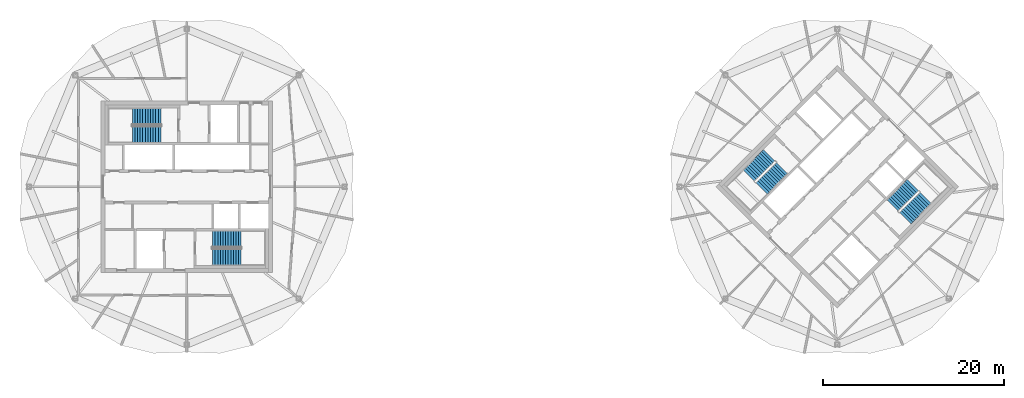
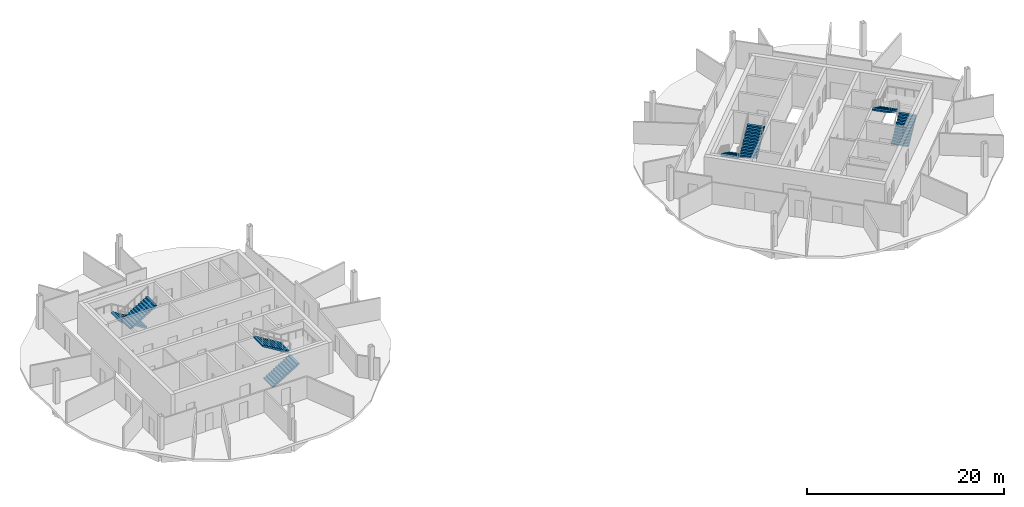
# One storey, part 10 of 11: 8 stair flights, 4 elements without a shape of their own.
"""IFC4 building model written with IfcOpenShell, lengths in metres."""

import ifcopenshell
import ifcopenshell.guid

model = None  # the IFC model being written
_history = None  # IfcOwnerHistory: only IFC2X3 demands one
_inside = {}  # id of a spatial element -> (the spatial element, [elements in it])
_under = {}  # id of a project, library or spatial element -> (it, [spatial elements below it])
_declared = {}  # id of a project -> (the project, [libraries it declares])
_typed = {}  # id of a type object -> (the type object, [elements of that type])
_made_of = {}  # id of a material, layer set ... -> (it, [elements and type objects made of it])


def new_model(schema):
    """Start an empty IFC model of exactly this schema.

    Asked for "IFC4X3", IfcOpenShell would pick the latest addendum, in which some entities
    have other attributes; the version numbers below select the first issue.
    IFC2X3 requires an IfcOwnerHistory on every rooted entity: one is made here for all.
    """
    global model, _history
    if schema == "IFC4X3":
        model = ifcopenshell.file(schema_version=(4, 3, 0, 0))
    else:
        model = ifcopenshell.file(schema=schema)
    _inside.clear()
    _under.clear()
    _declared.clear()
    _typed.clear()
    _made_of.clear()
    _history = None
    if model.schema == "IFC2X3":
        org = make("IfcOrganization", Name="unknown")
        user = make(
            "IfcPersonAndOrganization",
            ThePerson=make("IfcPerson", FamilyName="unknown"),
            TheOrganization=org,
        )
        app = make(
            "IfcApplication",
            ApplicationDeveloper=org,
            Version="unknown",
            ApplicationFullName="unknown",
            ApplicationIdentifier="unknown",
        )
        _history = make(
            "IfcOwnerHistory",
            OwningUser=user,
            OwningApplication=app,
            ChangeAction="ADDED",
            CreationDate=0,
        )
    return model


def make(cls, **values):
    """One entity of the class cls with the attributes given. An attribute that is None is left unset."""
    return model.create_entity(
        cls, **{name: value for name, value in values.items() if value is not None}
    )


def rooted(cls, **values):
    """An entity with a GlobalId (a new one), such as an element, a storey or a relation."""
    return make(cls, GlobalId=ifcopenshell.guid.new(), OwnerHistory=_history, **values)


def si_unit(unit_type, name, prefix=None):
    """IfcSIUnit, for example si_unit("LENGTHUNIT", "METRE", prefix="MILLI")."""
    return make("IfcSIUnit", UnitType=unit_type, Prefix=prefix, Name=name)


def assignment(units):
    """IfcUnitAssignment: the units of a project."""
    return None if units is None else make("IfcUnitAssignment", Units=units)


def point(xyz):
    """IfcCartesianPoint."""
    return None if xyz is None else make("IfcCartesianPoint", Coordinates=xyz)


def direction(xyz):
    """IfcDirection."""
    return None if xyz is None else make("IfcDirection", DirectionRatios=xyz)


def frame(location, z_axis=None, x_axis=None):
    """IfcAxis2Placement3D, a coordinate frame: its origin and axes. An axis left out is left unset."""
    return make(
        "IfcAxis2Placement3D",
        Location=point(location),
        Axis=direction(z_axis),
        RefDirection=direction(x_axis),
    )


def origin():
    """The frame at (0, 0, 0) with its axes left unset."""
    return frame((0.0, 0.0, 0.0))


def place(relative_to, where):
    """IfcLocalPlacement: puts the frame where relative to a parent placement (None: the world)."""
    return make(
        "IfcLocalPlacement", PlacementRelTo=relative_to, RelativePlacement=where
    )


def context(
    kind, dimensions, precision=None, world=None, true_north=None, identifier=None
):
    """IfcGeometricRepresentationContext, for example the 3D "Model" context."""
    return make(
        "IfcGeometricRepresentationContext",
        ContextIdentifier=identifier,
        ContextType=kind,
        CoordinateSpaceDimension=dimensions,
        Precision=precision,
        WorldCoordinateSystem=world,
        TrueNorth=true_north,
    )


def subcontext(parent, identifier, kind, view, scale=None):
    """IfcGeometricRepresentationSubContext, for example "Body" below "Model"."""
    return make(
        "IfcGeometricRepresentationSubContext",
        ContextIdentifier=identifier,
        ContextType=kind,
        ParentContext=parent,
        TargetScale=scale,
        TargetView=view,
    )


def project(units=None, contexts=None):
    """IfcProject with its units and contexts."""
    return rooted(
        "IfcProject",
        Name="project",
        RepresentationContexts=contexts,
        UnitsInContext=assignment(units),
    )


def spatial(cls, under=None, at=None, **own):
    """A site, building, storey or space (cls), placed at a placement, below another one or the project."""
    s = rooted(cls, ObjectPlacement=at, **own)
    if under is not None:
        _under.setdefault(under.id(), (under, []))[1].append(s)
    return s


def polyline(points):
    """IfcPolyline through the points."""
    return make("IfcPolyline", Points=[point(p) for p in points])


def outline(outer, holes=None, kind="AREA"):
    """IfcArbitraryClosedProfileDef: a profile drawn as a closed curve; with holes, ...WithVoids."""
    if holes is None:
        return make("IfcArbitraryClosedProfileDef", ProfileType=kind, OuterCurve=outer)
    return make(
        "IfcArbitraryProfileDefWithVoids",
        ProfileType=kind,
        OuterCurve=outer,
        InnerCurves=holes,
    )


def extrude(swept, where, along, depth):
    """IfcExtrudedAreaSolid: the profile swept, set in the frame where, extruded along a direction by depth."""
    return make(
        "IfcExtrudedAreaSolid",
        SweptArea=swept,
        Position=where,
        ExtrudedDirection=direction(along),
        Depth=depth,
    )


def shape(context_of_items, identifier, shape_type, items):
    """IfcShapeRepresentation: the items that make up one representation, for example the "Body"."""
    return make(
        "IfcShapeRepresentation",
        ContextOfItems=context_of_items,
        RepresentationIdentifier=identifier,
        RepresentationType=shape_type,
        Items=items,
    )


def material(Name=None, Category=None):
    """IfcMaterial."""
    return make("IfcMaterial", Name=Name, Category=Category)


def made_of(thing, what):
    """Note that an element or type object is made of a material, layer set ...; save() writes the relation."""
    if what is not None:
        _made_of.setdefault(what.id(), (what, []))[1].append(thing)
    return thing


def type_object(cls, material=None, **own):
    """A type object (cls), such as IfcWallType, which elements share."""
    return made_of(rooted(cls, **own), material)


def element(
    cls,
    number,
    at=None,
    inside=None,
    cuts=None,
    type_object=None,
    material=None,
    context=None,
    identifier="Body",
    shape_type=None,
    held_by="IfcProductDefinitionShape",
    body=None,
    shapes=None,
    **own,
):
    """One element of the class cls, such as IfcWall. Its Tag is "e" and its number.

    at: its placement. inside: the storey or other place that contains it. cuts: it is an
    opening in that element (IfcRelVoidsElement). A single representation is given by context,
    identifier, shape_type and body (its items); several are given by shapes. held_by: the class
    of the entity that holds the representations. save() writes the other relations.
    """
    e = rooted(cls, Tag="e%d" % number, ObjectPlacement=at, **own)
    if body is not None:
        shapes = [shape(context, identifier, shape_type, body)]
    if shapes is not None:
        e.Representation = make(held_by, Representations=shapes)
    if inside is not None:
        _inside.setdefault(inside.id(), (inside, []))[1].append(e)
    if cuts is not None:
        rooted(
            "IfcRelVoidsElement", RelatingBuildingElement=cuts, RelatedOpeningElement=e
        )
    if type_object is not None:
        _typed.setdefault(type_object.id(), (type_object, []))[1].append(e)
    return made_of(e, material)


def aggregate(whole, parts):
    """IfcRelAggregates: a whole, such as a stair, and the parts it consists of."""
    return rooted("IfcRelAggregates", RelatingObject=whole, RelatedObjects=parts)


def save(model, path):
    """Write the relations noted so far, then the file.

    IfcRelAggregates (storeys below a building ...), IfcRelContainedInSpatialStructure (elements
    in a storey), IfcRelDefinesByType, IfcRelAssociatesMaterial and IfcRelDeclares: one each for
    every whole, place, type object, material and project.
    """
    for whole, parts in _under.values():
        aggregate(whole, parts)
    for where, things in _inside.values():
        rooted(
            "IfcRelContainedInSpatialStructure",
            RelatedElements=things,
            RelatingStructure=where,
        )
    for kind, things in _typed.values():
        rooted("IfcRelDefinesByType", RelatedObjects=things, RelatingType=kind)
    for what, things in _made_of.values():
        rooted("IfcRelAssociatesMaterial", RelatedObjects=things, RelatingMaterial=what)
    for by, libraries in _declared.values():
        rooted("IfcRelDeclares", RelatingContext=by, RelatedDefinitions=libraries)
    model.write(path)


model = new_model("IFC4")

# Units and contexts
model_context = context("Model", 3, precision=1e-05, world=origin(), true_north=direction((0.0, 1.0)))
body_context = subcontext(model_context, "Body", "Model", "MODEL_VIEW")
ifc_project = project(units=[si_unit("LENGTHUNIT", "METRE"), si_unit("AREAUNIT", "SQUARE_METRE"), si_unit("VOLUMEUNIT", "CUBIC_METRE"), si_unit("PLANEANGLEUNIT", "RADIAN"), si_unit("MASSUNIT", "GRAM", prefix="KILO")], contexts=[model_context])

# Site, building, storey
site_placement = place(None, origin())
site = spatial("IfcSite", under=ifc_project, at=site_placement, CompositionType="ELEMENT")
building_placement = place(site_placement, origin())
building = spatial("IfcBuilding", under=site, at=building_placement, Name="Ogive Gate Towers", CompositionType="ELEMENT")
storey_placement = place(building_placement, frame((0.0, 0.0, 289.800048828125)))
storey = spatial("IfcBuildingStorey", under=building, at=storey_placement, Name="L68", CompositionType="ELEMENT", Elevation=289.800048828125)

# Stair, stair flights
ifc_material = material(Name="Concrete C40/50", Category="concrete")
stair_type = type_object("IfcStairType", Name="Escape stair 1840 wide", PredefinedType="HALF_TURN_STAIR", material=ifc_material)
stair_1_placement = place(storey_placement, origin())
stair_1 = element("IfcStair", 1, at=stair_1_placement, inside=storey, type_object=stair_type, Name="L68 Escape stair 1", PredefinedType="HALF_TURN_STAIR")
stair_flight_type = type_object("IfcStairFlightType", Name="Stair flight 1840 wide", PredefinedType="STRAIGHT", material=ifc_material)
stair_flight_1_placement = place(storey_placement, frame((-38.864990234375, 7.780029296875, 0.0), z_axis=(0.0, 0.0, 1.0), x_axis=(-1.0, 0.0, 0.0)))
stair_flight_1 = element("IfcStairFlight", 2, at=stair_flight_1_placement, type_object=stair_flight_type, Name="ST1 flight 1", NumberOfRisers=12, NumberOfTreads=11, PredefinedType="STRAIGHT", RiserHeight=0.175, TreadLength=0.2875, context=body_context, shape_type="SweptSolid", body=[
    extrude(outline(polyline([(0.0, 0.0), (0.0, 0.175048828125), (0.28759765625, 0.175048828125), (0.28759765625, 0.35009765625), (0.574951171875, 0.35009765625), (0.574951171875, 0.52490234375), (0.862548828125, 0.52490234375), (0.862548828125, 0.699951171875), (1.14990234375, 0.699951171875), (1.14990234375, 0.875), (1.4375, 0.875), (1.4375, 1.050048828125), (1.72509765625, 1.050048828125), (1.72509765625, 1.22509765625), (2.012451171875, 1.22509765625), (2.012451171875, 1.39990234375), (2.300048828125, 1.39990234375), (2.300048828125, 1.574951171875), (2.58740234375, 1.574951171875), (2.58740234375, 1.75), (2.875, 1.75), (2.875, 1.925048828125), (3.16259765625, 1.925048828125), (3.16259765625, 2.10009765625), (3.16259765625, 1.74951171875), (0.288330078125, 0.0), (0.0, 0.0)])), frame((0.0, 0.919921875, 0.0), z_axis=(0.0, -1.0, 0.0), x_axis=(1.0, 0.0, 0.0)), (0.0, 0.0, 1.0), 1.840087890625),
])
stair_flight_2_placement = place(storey_placement, frame((-42.027587890625, 5.794921875, 2.099853515625), z_axis=(0.0, 0.0, 1.0), x_axis=(1.0, 0.0, 0.0)))
stair_flight_2 = element("IfcStairFlight", 3, at=stair_flight_2_placement, type_object=stair_flight_type, Name="ST1 flight 2", NumberOfRisers=12, NumberOfTreads=11, PredefinedType="STRAIGHT", RiserHeight=0.175, TreadLength=0.2875, context=body_context, shape_type="SweptSolid", body=[
    extrude(outline(polyline([(0.0, 0.0), (0.0, 0.175048828125), (0.28759765625, 0.175048828125), (0.28759765625, 0.35009765625), (0.574951171875, 0.35009765625), (0.574951171875, 0.52490234375), (0.862548828125, 0.52490234375), (0.862548828125, 0.699951171875), (1.14990234375, 0.699951171875), (1.14990234375, 0.875), (1.4375, 0.875), (1.4375, 1.050048828125), (1.72509765625, 1.050048828125), (1.72509765625, 1.22509765625), (2.012451171875, 1.22509765625), (2.012451171875, 1.39990234375), (2.300048828125, 1.39990234375), (2.300048828125, 1.574951171875), (2.58740234375, 1.574951171875), (2.58740234375, 1.75), (2.875, 1.75), (2.875, 1.925048828125), (3.16259765625, 1.925048828125), (3.16259765625, 2.10009765625), (3.16259765625, 1.74951171875), (0.288330078125, 0.0), (0.0, 0.0)])), frame((0.0, 0.919921875, 0.0), z_axis=(0.0, -1.0, 0.0), x_axis=(1.0, 0.0, 0.0)), (0.0, 0.0, 1.0), 1.840087890625),
])
aggregate(stair_1, [stair_flight_1, stair_flight_2])

stair_2_placement = place(storey_placement, origin())
stair_2 = element("IfcStair", 4, at=stair_2_placement, inside=storey, type_object=stair_type, Name="L68 Escape stair 2", PredefinedType="HALF_TURN_STAIR")
stair_flight_3_placement = place(storey_placement, frame((-33.135009765625, -7.780029296875, 0.0), z_axis=(0.0, 0.0, 1.0), x_axis=(1.0, 0.0, 0.0)))
stair_flight_3 = element("IfcStairFlight", 5, at=stair_flight_3_placement, type_object=stair_flight_type, Name="ST2 flight 1", NumberOfRisers=12, NumberOfTreads=11, PredefinedType="STRAIGHT", RiserHeight=0.175, TreadLength=0.2875, context=body_context, shape_type="SweptSolid", body=[
    extrude(outline(polyline([(0.0, 0.0), (0.0, 0.175048828125), (0.28759765625, 0.175048828125), (0.28759765625, 0.35009765625), (0.574951171875, 0.35009765625), (0.574951171875, 0.52490234375), (0.862548828125, 0.52490234375), (0.862548828125, 0.699951171875), (1.14990234375, 0.699951171875), (1.14990234375, 0.875), (1.4375, 0.875), (1.4375, 1.050048828125), (1.72509765625, 1.050048828125), (1.72509765625, 1.22509765625), (2.012451171875, 1.22509765625), (2.012451171875, 1.39990234375), (2.300048828125, 1.39990234375), (2.300048828125, 1.574951171875), (2.58740234375, 1.574951171875), (2.58740234375, 1.75), (2.875, 1.75), (2.875, 1.925048828125), (3.16259765625, 1.925048828125), (3.16259765625, 2.10009765625), (3.16259765625, 1.74951171875), (0.288330078125, 0.0), (0.0, 0.0)])), frame((0.0, 0.919921875, 0.0), z_axis=(0.0, -1.0, 0.0), x_axis=(1.0, 0.0, 0.0)), (0.0, 0.0, 1.0), 1.840087890625),
])
stair_flight_4_placement = place(storey_placement, frame((-29.972412109375, -5.794921875, 2.099853515625), z_axis=(0.0, 0.0, 1.0), x_axis=(-1.0, 0.0, 0.0)))
stair_flight_4 = element("IfcStairFlight", 6, at=stair_flight_4_placement, type_object=stair_flight_type, Name="ST2 flight 2", NumberOfRisers=12, NumberOfTreads=11, PredefinedType="STRAIGHT", RiserHeight=0.175, TreadLength=0.2875, context=body_context, shape_type="SweptSolid", body=[
    extrude(outline(polyline([(0.0, 0.0), (0.0, 0.175048828125), (0.28759765625, 0.175048828125), (0.28759765625, 0.35009765625), (0.574951171875, 0.35009765625), (0.574951171875, 0.52490234375), (0.862548828125, 0.52490234375), (0.862548828125, 0.699951171875), (1.14990234375, 0.699951171875), (1.14990234375, 0.875), (1.4375, 0.875), (1.4375, 1.050048828125), (1.72509765625, 1.050048828125), (1.72509765625, 1.22509765625), (2.012451171875, 1.22509765625), (2.012451171875, 1.39990234375), (2.300048828125, 1.39990234375), (2.300048828125, 1.574951171875), (2.58740234375, 1.574951171875), (2.58740234375, 1.75), (2.875, 1.75), (2.875, 1.925048828125), (3.16259765625, 1.925048828125), (3.16259765625, 2.10009765625), (3.16259765625, 1.74951171875), (0.288330078125, 0.0), (0.0, 0.0)])), frame((0.0, 0.919921875, 0.0), z_axis=(0.0, -1.0, 0.0), x_axis=(1.0, 0.0, 0.0)), (0.0, 0.0, 1.0), 1.840087890625),
])
aggregate(stair_2, [stair_flight_3, stair_flight_4])

stair_3_placement = place(storey_placement, origin())
stair_3 = element("IfcStair", 7, at=stair_3_placement, inside=storey, type_object=stair_type, Name="L68 Escape stair 1", PredefinedType="HALF_TURN_STAIR")
stair_flight_5_placement = place(storey_placement, frame((28.472900390625, 3.475341796875, 0.0), z_axis=(0.0, 0.0, 1.0), x_axis=(-0.707106781187, -0.707106781187, 0.0)))
stair_flight_5 = element("IfcStairFlight", 8, at=stair_flight_5_placement, type_object=stair_flight_type, Name="ST1 flight 1", NumberOfRisers=12, NumberOfTreads=11, PredefinedType="STRAIGHT", RiserHeight=0.175, TreadLength=0.2875, context=body_context, shape_type="SweptSolid", body=[
    extrude(outline(polyline([(0.0, 0.0), (0.0, 0.175048828125), (0.28759765625, 0.175048828125), (0.28759765625, 0.35009765625), (0.574951171875, 0.35009765625), (0.574951171875, 0.52490234375), (0.862548828125, 0.52490234375), (0.862548828125, 0.699951171875), (1.14990234375, 0.699951171875), (1.14990234375, 0.875), (1.4375, 0.875), (1.4375, 1.050048828125), (1.72509765625, 1.050048828125), (1.72509765625, 1.22509765625), (2.012451171875, 1.22509765625), (2.012451171875, 1.39990234375), (2.300048828125, 1.39990234375), (2.300048828125, 1.574951171875), (2.58740234375, 1.574951171875), (2.58740234375, 1.75), (2.875, 1.75), (2.875, 1.925048828125), (3.16259765625, 1.925048828125), (3.16259765625, 2.10009765625), (3.16259765625, 1.74951171875), (0.288330078125, 0.0), (0.0, 0.0)])), frame((0.0, 0.919921875, 0.0), z_axis=(0.0, -1.0, 0.0), x_axis=(1.0, 0.0, 0.0)), (0.0, 0.0, 1.0), 1.840087890625),
])
stair_flight_6_placement = place(storey_placement, frame((27.64013671875, -0.164306640625, 2.099853515625), z_axis=(0.0, 0.0, 1.0), x_axis=(0.707106781187, 0.707106781187, 0.0)))
stair_flight_6 = element("IfcStairFlight", 9, at=stair_flight_6_placement, type_object=stair_flight_type, Name="ST1 flight 2", NumberOfRisers=12, NumberOfTreads=11, PredefinedType="STRAIGHT", RiserHeight=0.175, TreadLength=0.2875, context=body_context, shape_type="SweptSolid", body=[
    extrude(outline(polyline([(0.0, 0.0), (0.0, 0.175048828125), (0.28759765625, 0.175048828125), (0.28759765625, 0.35009765625), (0.574951171875, 0.35009765625), (0.574951171875, 0.52490234375), (0.862548828125, 0.52490234375), (0.862548828125, 0.699951171875), (1.14990234375, 0.699951171875), (1.14990234375, 0.875), (1.4375, 0.875), (1.4375, 1.050048828125), (1.72509765625, 1.050048828125), (1.72509765625, 1.22509765625), (2.012451171875, 1.22509765625), (2.012451171875, 1.39990234375), (2.300048828125, 1.39990234375), (2.300048828125, 1.574951171875), (2.58740234375, 1.574951171875), (2.58740234375, 1.75), (2.875, 1.75), (2.875, 1.925048828125), (3.16259765625, 1.925048828125), (3.16259765625, 2.10009765625), (3.16259765625, 1.74951171875), (0.288330078125, 0.0), (0.0, 0.0)])), frame((0.0, 0.919921875, 0.0), z_axis=(0.0, -1.0, 0.0), x_axis=(1.0, 0.0, 0.0)), (0.0, 0.0, 1.0), 1.840087890625),
])
aggregate(stair_3, [stair_flight_5, stair_flight_6])

stair_4_placement = place(storey_placement, origin())
stair_4 = element("IfcStair", 10, at=stair_4_placement, inside=storey, type_object=stair_type, Name="L68 Escape stair 2", PredefinedType="HALF_TURN_STAIR")
stair_flight_7_placement = place(storey_placement, frame((43.527099609375, -3.475341796875, 0.0), z_axis=(0.0, 0.0, 1.0), x_axis=(0.707106781187, 0.707106781187, 0.0)))
stair_flight_7 = element("IfcStairFlight", 11, at=stair_flight_7_placement, type_object=stair_flight_type, Name="ST2 flight 1", NumberOfRisers=12, NumberOfTreads=11, PredefinedType="STRAIGHT", RiserHeight=0.175, TreadLength=0.2875, context=body_context, shape_type="SweptSolid", body=[
    extrude(outline(polyline([(0.0, 0.0), (0.0, 0.175048828125), (0.28759765625, 0.175048828125), (0.28759765625, 0.35009765625), (0.574951171875, 0.35009765625), (0.574951171875, 0.52490234375), (0.862548828125, 0.52490234375), (0.862548828125, 0.699951171875), (1.14990234375, 0.699951171875), (1.14990234375, 0.875), (1.4375, 0.875), (1.4375, 1.050048828125), (1.72509765625, 1.050048828125), (1.72509765625, 1.22509765625), (2.012451171875, 1.22509765625), (2.012451171875, 1.39990234375), (2.300048828125, 1.39990234375), (2.300048828125, 1.574951171875), (2.58740234375, 1.574951171875), (2.58740234375, 1.75), (2.875, 1.75), (2.875, 1.925048828125), (3.16259765625, 1.925048828125), (3.16259765625, 2.10009765625), (3.16259765625, 1.74951171875), (0.288330078125, 0.0), (0.0, 0.0)])), frame((0.0, 0.919921875, 0.0), z_axis=(0.0, -1.0, 0.0), x_axis=(1.0, 0.0, 0.0)), (0.0, 0.0, 1.0), 1.840087890625),
])
stair_flight_8_placement = place(storey_placement, frame((44.35986328125, 0.164306640625, 2.099853515625), z_axis=(0.0, 0.0, 1.0), x_axis=(-0.707106781187, -0.707106781187, 0.0)))
stair_flight_8 = element("IfcStairFlight", 12, at=stair_flight_8_placement, type_object=stair_flight_type, Name="ST2 flight 2", NumberOfRisers=12, NumberOfTreads=11, PredefinedType="STRAIGHT", RiserHeight=0.175, TreadLength=0.2875, context=body_context, shape_type="SweptSolid", body=[
    extrude(outline(polyline([(0.0, 0.0), (0.0, 0.175048828125), (0.28759765625, 0.175048828125), (0.28759765625, 0.35009765625), (0.574951171875, 0.35009765625), (0.574951171875, 0.52490234375), (0.862548828125, 0.52490234375), (0.862548828125, 0.699951171875), (1.14990234375, 0.699951171875), (1.14990234375, 0.875), (1.4375, 0.875), (1.4375, 1.050048828125), (1.72509765625, 1.050048828125), (1.72509765625, 1.22509765625), (2.012451171875, 1.22509765625), (2.012451171875, 1.39990234375), (2.300048828125, 1.39990234375), (2.300048828125, 1.574951171875), (2.58740234375, 1.574951171875), (2.58740234375, 1.75), (2.875, 1.75), (2.875, 1.925048828125), (3.16259765625, 1.925048828125), (3.16259765625, 2.10009765625), (3.16259765625, 1.74951171875), (0.288330078125, 0.0), (0.0, 0.0)])), frame((0.0, 0.919921875, 0.0), z_axis=(0.0, -1.0, 0.0), x_axis=(1.0, 0.0, 0.0)), (0.0, 0.0, 1.0), 1.840087890625),
])
aggregate(stair_4, [stair_flight_7, stair_flight_8])

save(model, "model.ifc")
